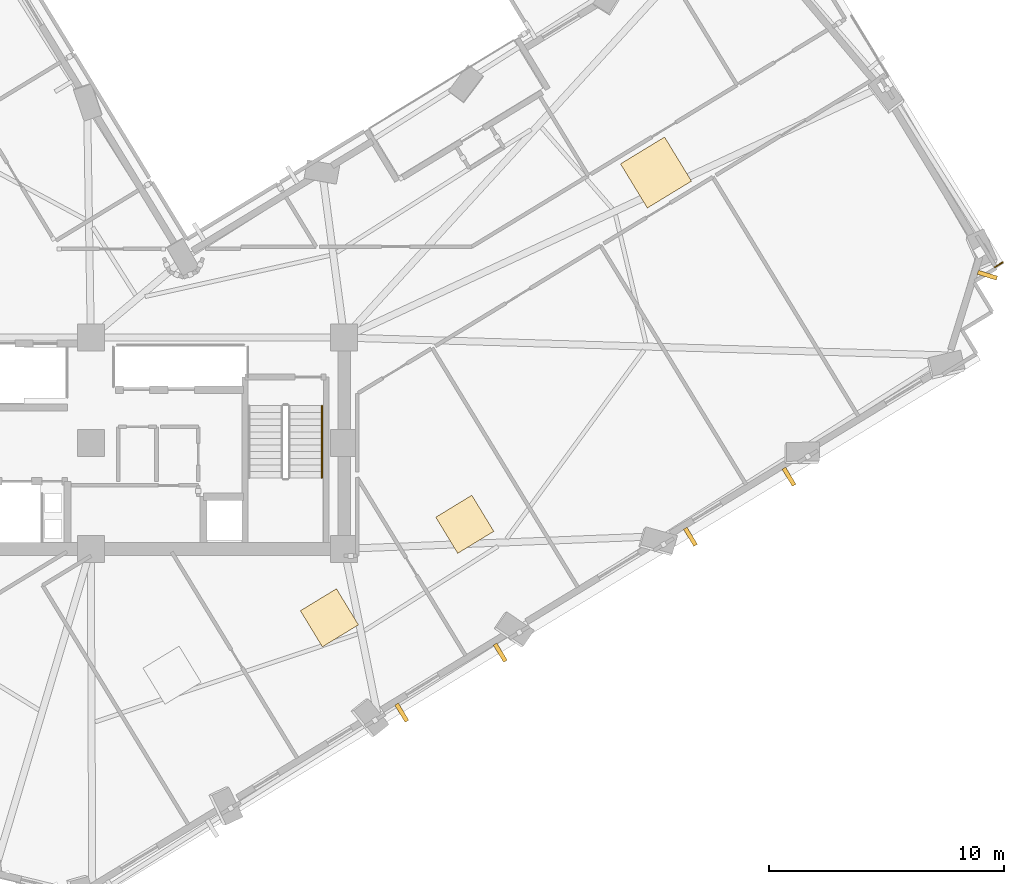
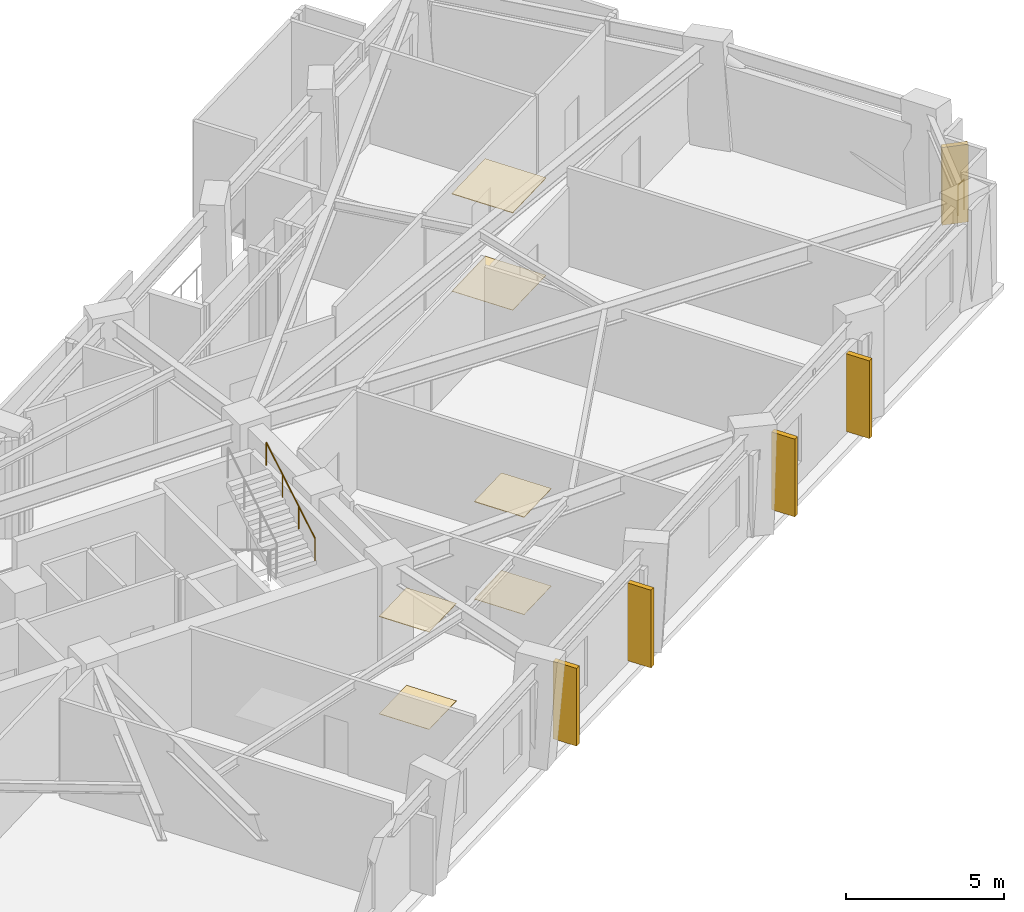
# One storey, part 12 of 14: 6 coverings, 5 shading devices, 2 railings.
"""IFC4 building model written with IfcOpenShell, lengths in metres."""

from ifc_helpers import new_model, si_unit, direction, frame, origin, origin_2d, place, context, subcontext, project, spatial, rectangle, circle, extrude, material, layer, layer_set, type_object, element, save


model = new_model("IFC4")

# Units and contexts
model_context = context("Model", 3, precision=1e-05, world=origin(), true_north=direction((0.0, 1.0)))
body_context = subcontext(model_context, "Body", "Model", "MODEL_VIEW")
ifc_project = project(units=[si_unit("LENGTHUNIT", "METRE"), si_unit("AREAUNIT", "SQUARE_METRE"), si_unit("VOLUMEUNIT", "CUBIC_METRE"), si_unit("PLANEANGLEUNIT", "RADIAN"), si_unit("MASSUNIT", "GRAM", prefix="KILO")], contexts=[model_context])

# Site, building, storey
site_placement = place(None, origin())
site = spatial("IfcSite", under=ifc_project, at=site_placement, CompositionType="ELEMENT")
building_placement = place(site_placement, origin())
building = spatial("IfcBuilding", under=site, at=building_placement, Name="Gaonmaruhae Medical Tower", CompositionType="ELEMENT")
storey_placement = place(building_placement, frame((0.0, 0.0, 157.800048828125)))
storey = spatial("IfcBuildingStorey", under=building, at=storey_placement, Name="L37", CompositionType="ELEMENT", Elevation=157.800048828125)

# Coverings
ifc_material_1 = material(Name="Acoustic mineral ceiling tile", Category="finish")
ifc_layer_1 = layer(ifc_material_1, 0.02490234375)
ifc_layer_set_1 = layer_set([ifc_layer_1], Name="Acoustic mineral ceiling tile")
covering_type_1 = type_object("IfcCoveringType", Name="CLG-01 Antimicrobial Acoustic Mineral Ceiling", PredefinedType="CEILING", material=ifc_layer_set_1)
covering_1_placement = place(storey_placement, frame((48.884033203125, 23.8359375, 3.7548828125), z_axis=(0.0, 0.0, 1.0), x_axis=(0.854005138885, 0.520264569962, 0.0)))
element("IfcCovering", 1, at=covering_1_placement, inside=storey, type_object=covering_type_1, Name="L37 Clinical Corridor Acoustic Ceiling", PredefinedType="CEILING", context=body_context, shape_type="SweptSolid", body=[
    extrude(rectangle(XDim=2.199951171875, YDim=2.199951171875, at=origin_2d()), origin(), (0.0, 0.0, 1.0), 0.02490234375),
])
for number, where, z_axis, x_axis, name in (
    (2, (34.968017578125, 4.86181640625, 3.7548828125), (0.0, 0.0, 1.0), (0.854005138885, 0.520264569962, 0.0), "L37 Clinical Room Acoustic Ceiling 3"),
    (3, (40.73681640625, 8.8466796875, 3.7548828125), (0.0, 0.0, 1.0), (0.854005138885, 0.520264569962, 0.0), "L37 Clinical Room Acoustic Ceiling 4"),
):
    element("IfcCovering", number, at=place(storey_placement, frame(where, z_axis=z_axis, x_axis=x_axis)), inside=storey, type_object=covering_type_1, Name=name, PredefinedType="CEILING", context=body_context, shape_type="SweptSolid", body=[
        extrude(rectangle(XDim=1.800048828125, YDim=1.800048828125, at=origin_2d()), origin(), (0.0, 0.0, 1.0), 0.02490234375),
    ])
ifc_material_2 = material(Name="Seamless clinical vinyl flooring", Category="finish")
ifc_layer_2 = layer(ifc_material_2, 0.014892578125)
ifc_layer_set_2 = layer_set([ifc_layer_2], Name="Seamless clinical vinyl flooring")
covering_type_2 = type_object("IfcCoveringType", Name="FLR-01 Seamless Clinical Antistatic Vinyl Flooring", PredefinedType="FLOORING", material=ifc_layer_set_2)
covering_2_placement = place(storey_placement, frame((48.884033203125, 23.8359375, 0.00048828125), z_axis=(0.0, 0.0, 1.0), x_axis=(0.854005138885, 0.520264569962, 0.0)))
element("IfcCovering", 4, at=covering_2_placement, inside=storey, type_object=covering_type_2, Name="L37 Clinical Corridor Vinyl Flooring", PredefinedType="FLOORING", context=body_context, shape_type="SweptSolid", body=[
    extrude(rectangle(XDim=2.199951171875, YDim=2.199951171875, at=origin_2d()), origin(), (0.0, 0.0, 1.0), 0.014892578125),
])
for number, where, z_axis, x_axis, name in (
    (5, (34.968017578125, 4.86181640625, 0.0), (0.0, 0.0, 1.0), (0.854005138885, 0.520264569962, 0.0), "L37 Clinical Room Vinyl Flooring 3"),
    (6, (40.73681640625, 8.8466796875, 0.0), (0.0, 0.0, 1.0), (0.854005138885, 0.520264569962, 0.0), "L37 Clinical Room Vinyl Flooring 4"),
):
    element("IfcCovering", number, at=place(storey_placement, frame(where, z_axis=z_axis, x_axis=x_axis)), inside=storey, type_object=covering_type_2, Name=name, PredefinedType="FLOORING", context=body_context, shape_type="SweptSolid", body=[
        extrude(rectangle(XDim=1.800048828125, YDim=1.800048828125, at=origin_2d()), origin(), (0.0, 0.0, 1.0), 0.014892578125),
    ])

# Railings
ifc_material_3 = material(Name="Stainless steel 316L and laminated safety glass", Category="steel")
ifc_layer_3 = layer(ifc_material_3, 0.080078125)
ifc_layer_set_3 = layer_set([ifc_layer_3], Name="Stainless steel 316L and laminated safety glass")
railing_type_1 = type_object("IfcRailingType", Name="GD-120 Outdoor Terrace Safety Glass & Steel Balustrade", PredefinedType="BALUSTRADE", material=ifc_layer_set_3)
railing_1_placement = place(storey_placement, frame((63.66064453125, 20.01025390625, 0.0)))
element("IfcRailing", 7, at=railing_1_placement, inside=storey, type_object=railing_type_1, Name="L37 Perimeter Slab Edge Safety Balustrade 03", PredefinedType="BALUSTRADE", context=body_context, shape_type="SweptSolid", body=[
    extrude(circle(Radius=0.02392578125, at=origin_2d()), frame((0.0, 0.0, 1.17578125), z_axis=(-0.853802902699, -0.52059639198, 0.0), x_axis=(0.52059639198, -0.853802902699, 0.0)), (0.0, 0.0, 1.0), 0.3935546875),
    extrude(circle(Radius=0.02099609375, at=origin_2d()), origin(), (0.0, 0.0, 1.0), 1.15185546875),
    extrude(circle(Radius=0.02099609375, at=origin_2d()), frame((-0.3359375, -0.204833984375, 0.0)), (0.0, 0.0, 1.0), 1.15185546875),
])
ifc_material_4 = material(Name="Stainless steel 304 handrail", Category="steel")
railing_type_2 = type_object("IfcRailingType", Name="HR-092 Continuous Stainless Steel Stair Handrail", PredefinedType="HANDRAIL", material=ifc_material_4)
railing_2_placement = place(storey_placement, frame((34.64990234375, 10.820068359375, 2.16650390625)))
element("IfcRailing", 8, at=railing_2_placement, inside=storey, type_object=railing_type_2, Name="L37 ST-02 stair handrail 2", PredefinedType="HANDRAIL", context=body_context, shape_type="SweptSolid", body=[
    extrude(circle(Radius=0.02392578125, at=origin_2d()), frame((0.0, 0.0, 0.8759765625), z_axis=(0.0, 0.859260807169, 0.511537745687), x_axis=(-1.0, 0.0, 0.0)), (0.0, 0.0, 1.0), 3.584228515625),
    extrude(circle(Radius=0.02099609375, at=origin_2d()), origin(), (0.0, 0.0, 1.0), 0.851806640625),
    extrude(circle(Radius=0.02099609375, at=origin_2d()), frame((0.0, 1.026611328125, 0.611083984375)), (0.0, 0.0, 1.0), 0.851806640625),
    extrude(circle(Radius=0.02099609375, at=origin_2d()), frame((0.0, 2.05322265625, 1.222412109375)), (0.0, 0.0, 1.0), 0.851806640625),
    extrude(circle(Radius=0.02099609375, at=origin_2d()), frame((0.0, 3.079833984375, 1.83349609375)), (0.0, 0.0, 1.0), 0.851806640625),
])

# Shading devices
ifc_material_5 = material(Name="Pigmented coral precast concrete C45/55", Category="concrete")
shading_device_type = type_object("IfcShadingDeviceType", Name="SD-FIN1 Tower Vertical Coral Precast Shading Fin", PredefinedType="USERDEFINED", material=ifc_material_5)
for number, where, z_axis, x_axis, name in (
    (9, (42.247314453125, 3.376220703125, 0.08251953125), (0.0, 0.0, 1.0), (-0.854005138885, -0.520264569962, 0.0), "L37 Vertical Coral Precast Shading Fin S03"),
    (10, (38.050537109375, 0.8193359375, 0.08251953125), (0.0, 0.0, 1.0), (-0.854005138885, -0.520264569962, 0.0), "L37 Vertical Coral Precast Shading Fin S03B"),
    (11, (54.552001953125, 10.872314453125, 0.08251953125), (0.0, 0.0, 1.0), (-0.854005138885, -0.520264569962, 0.0), "L37 Vertical Coral Precast Shading Fin S05"),
    (12, (50.351806640625, 8.3134765625, 0.08251953125), (0.0, 0.0, 1.0), (-0.854005138885, -0.520264569962, 0.0), "L37 Vertical Coral Precast Shading Fin S05B"),
    (13, (63.003662109375, 19.461669921875, 0.08251953125), (0.0, 0.0, 1.0), (-0.295741395369, -0.955268039382, 0.0), "L37 Vertical Coral Precast Shading Fin S07"),
):
    element("IfcShadingDevice", number, at=place(storey_placement, frame(where, z_axis=z_axis, x_axis=x_axis)), inside=storey, type_object=shading_device_type, Name=name, ObjectType="FIN", PredefinedType="USERDEFINED", context=body_context, shape_type="SweptSolid", body=[
        extrude(rectangle(XDim=0.179931640625, YDim=0.85009765625, at=origin_2d()), origin(), (0.0, 0.0, 1.0), 3.0),
    ])

save(model, "model.ifc")
